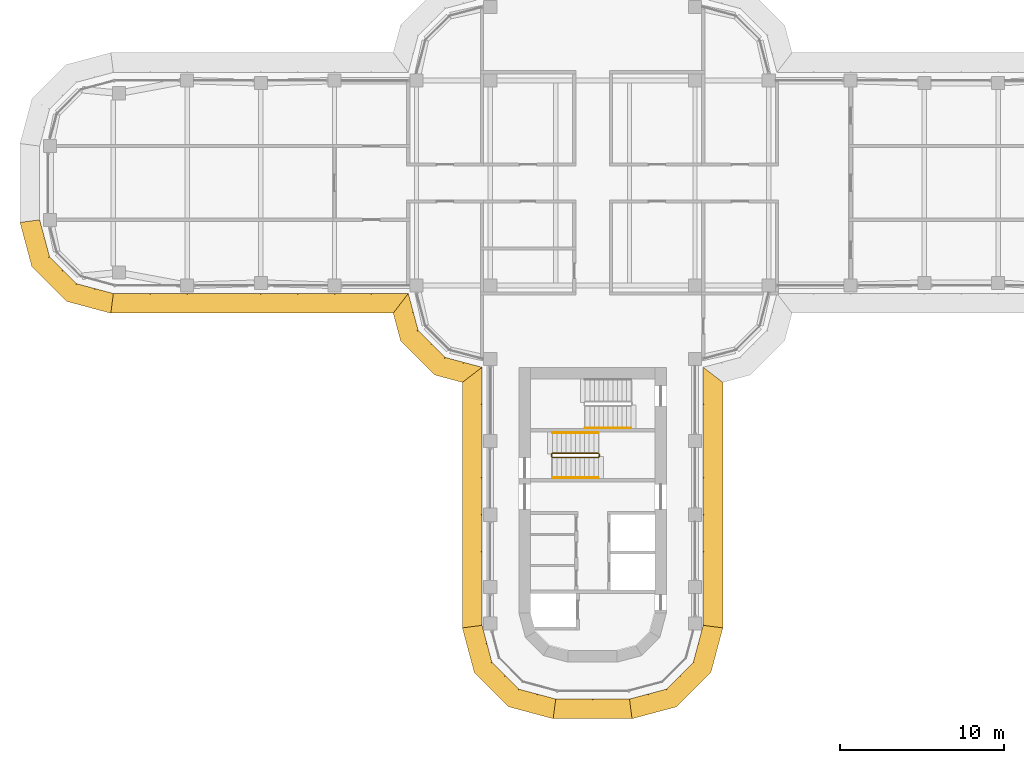
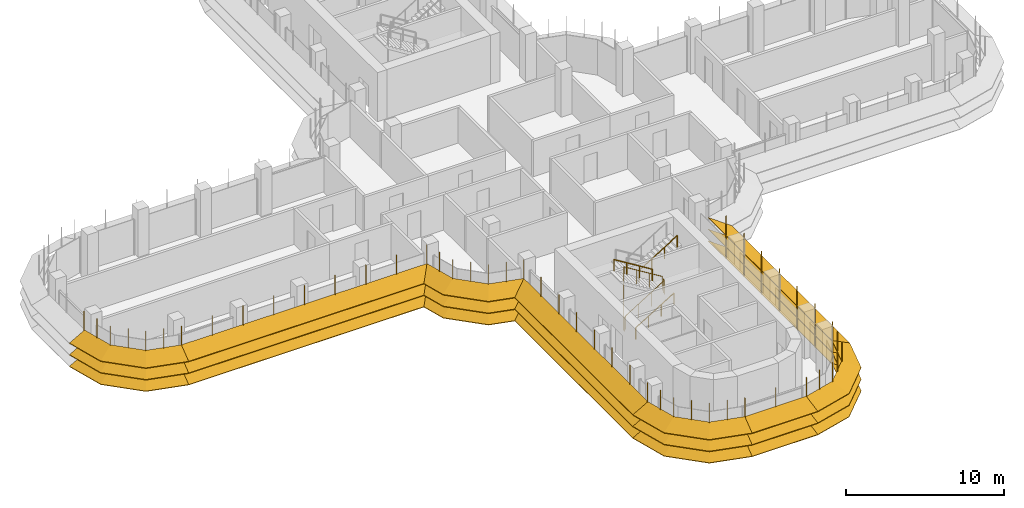
# One storey, part 16 of 19: 8 shading devices, 4 railings.
"""IFC4 building model written with IfcOpenShell, lengths in metres."""

from ifc_helpers import new_model, si_unit, direction, frame, origin, origin_2d, place, context, subcontext, project, spatial, polyline, circle, outline, extrude, faceted_brep, source, transform, mapped, material, type_object, element, save


model = new_model("IFC4")

# Units and contexts
model_context = context("Model", 3, precision=1e-05, world=origin(), true_north=direction((0.0, 1.0)))
body_context = subcontext(model_context, "Body", "Model", "MODEL_VIEW")
ifc_project = project(units=[si_unit("LENGTHUNIT", "METRE"), si_unit("AREAUNIT", "SQUARE_METRE"), si_unit("VOLUMEUNIT", "CUBIC_METRE"), si_unit("PLANEANGLEUNIT", "RADIAN"), si_unit("MASSUNIT", "GRAM", prefix="KILO")], contexts=[model_context])

# Site, building, storey
site_placement = place(None, origin())
site = spatial("IfcSite", under=ifc_project, at=site_placement, CompositionType="ELEMENT")
building_placement = place(site_placement, origin())
building = spatial("IfcBuilding", under=site, at=building_placement, Name="Zarbagh Exchange Tower", CompositionType="ELEMENT")
storey_placement = place(building_placement, frame((0.0, 0.0, 175.199951171875)))
storey = spatial("IfcBuildingStorey", under=building, at=storey_placement, Name="L42", CompositionType="ELEMENT", Elevation=175.199951171875)

# Railings
ifc_material_1 = material(Name="Stainless steel", Category="steel")
railing_type_1 = type_object("IfcRailingType", Name="Stair guard 1100 mm", PredefinedType="GUARDRAIL", material=ifc_material_1)
railing_1_placement = place(storey_placement, frame((0.35009765625, -16.5, 2.07275390625)))
element("IfcRailing", 1, at=railing_1_placement, inside=storey, type_object=railing_type_1, Name="ST3 stair guard 1", PredefinedType="GUARDRAIL", context=body_context, shape_type="SweptSolid", body=[
    extrude(circle(Radius=0.02392578125, at=origin_2d()), frame((0.0, 0.0, 1.076171875), z_axis=(-0.851089632645, 0.0, 0.525020415988), x_axis=(0.0, -1.0, 0.0)), (0.0, 0.0, 1.0), 3.2900390625),
    extrude(circle(Radius=0.02392578125, at=origin_2d()), frame((-2.800048828125, 0.0, 2.80322265625), z_axis=(-0.013168290981, -0.013168290981, -0.999826581076), x_axis=(0.707106781187, -0.707106781187, 0.0)), (0.0, 0.0, 1.0), 3.80078125),
    extrude(circle(Radius=0.02392578125, at=origin_2d()), frame((-2.85009765625, -0.050048828125, -0.99658203125), z_axis=(0.0, -1.0, 0.0), x_axis=(1.0, 0.0, 0.0)), (0.0, 0.0, 1.0), 0.14990234375),
    extrude(circle(Radius=0.02392578125, at=origin_2d()), frame((-2.85009765625, -0.199951171875, -0.99658203125), z_axis=(0.267953482034, -0.267953482034, 0.925419830635), x_axis=(0.707106781187, 0.707106781187, 0.0)), (0.0, 0.0, 1.0), 0.186767578125),
    extrude(circle(Radius=0.02392578125, at=origin_2d()), frame((-2.800048828125, -0.25, -0.82373046875), z_axis=(0.851089632645, 0.0, 0.525020415988), x_axis=(0.0, 1.0, 0.0)), (0.0, 0.0, 1.0), 3.2900390625),
    extrude(circle(Radius=0.02392578125, at=origin_2d()), frame((0.0, -0.25, 0.9033203125), z_axis=(0.705375805398, 0.708833529934, 0.0), x_axis=(-0.708833529934, 0.705375805398, 0.0)), (0.0, 0.0, 1.0), 0.070556640625),
    extrude(circle(Radius=0.02392578125, at=origin_2d()), frame((0.0498046875, -0.199951171875, 0.9033203125), z_axis=(0.0, 1.0, 0.0), x_axis=(-1.0, 0.0, 0.0)), (0.0, 0.0, 1.0), 0.14990234375),
    extrude(circle(Radius=0.02099609375, at=origin_2d()), origin(), (0.0, 0.0, 1.0), 1.052001953125),
    extrude(circle(Radius=0.02099609375, at=origin_2d()), frame((-0.933349609375, 0.0, 0.57568359375)), (0.0, 0.0, 1.0), 1.052001953125),
    extrude(circle(Radius=0.02099609375, at=origin_2d()), frame((-1.86669921875, 0.0, 1.151611328125)), (0.0, 0.0, 1.0), 1.052001953125),
    extrude(circle(Radius=0.02099609375, at=origin_2d()), frame((-2.800048828125, 0.0, 1.727294921875)), (0.0, 0.0, 1.0), 1.052001953125),
    extrude(circle(Radius=0.02099609375, at=origin_2d()), frame((-2.8125, -0.012451171875, 0.77734375)), (0.0, 0.0, 1.0), 1.052001953125),
    extrude(circle(Radius=0.02099609375, at=origin_2d()), frame((-2.8251953125, -0.02490234375, -0.1728515625)), (0.0, 0.0, 1.0), 1.052001953125),
    extrude(circle(Radius=0.02099609375, at=origin_2d()), frame((-2.837646484375, -0.03759765625, -1.122802734375)), (0.0, 0.0, 1.0), 1.052001953125),
    extrude(circle(Radius=0.02099609375, at=origin_2d()), frame((-2.85009765625, -0.050048828125, -2.07275390625)), (0.0, 0.0, 1.0), 1.052001953125),
    extrude(circle(Radius=0.02099609375, at=origin_2d()), frame((-2.85009765625, -0.199951171875, -2.07275390625)), (0.0, 0.0, 1.0), 1.052001953125),
    extrude(circle(Radius=0.02099609375, at=origin_2d()), frame((-2.800048828125, -0.25, -1.89990234375)), (0.0, 0.0, 1.0), 1.052001953125),
    extrude(circle(Radius=0.02099609375, at=origin_2d()), frame((-1.86669921875, -0.25, -1.32421875)), (0.0, 0.0, 1.0), 1.052001953125),
    extrude(circle(Radius=0.02099609375, at=origin_2d()), frame((-0.933349609375, -0.25, -0.748291015625)), (0.0, 0.0, 1.0), 1.052001953125),
    extrude(circle(Radius=0.02099609375, at=origin_2d()), frame((0.0, -0.25, -0.172607421875)), (0.0, 0.0, 1.0), 1.052001953125),
    extrude(circle(Radius=0.02099609375, at=origin_2d()), frame((0.0498046875, -0.199951171875, -0.172607421875)), (0.0, 0.0, 1.0), 1.052001953125),
    extrude(circle(Radius=0.02099609375, at=origin_2d()), frame((0.0498046875, -0.050048828125, -0.172607421875)), (0.0, 0.0, 1.0), 1.052001953125),
])
railing_type_2 = type_object("IfcRailingType", Name="Stair handrail 900 mm", PredefinedType="HANDRAIL", material=ifc_material_1)
railing_2_placement = place(storey_placement, frame((-2.449951171875, -18.0, 0.1728515625)))
element("IfcRailing", 2, at=railing_2_placement, inside=storey, type_object=railing_type_2, Name="ST3 stair handrail 1", PredefinedType="HANDRAIL", context=body_context, shape_type="SweptSolid", body=[
    extrude(circle(Radius=0.02392578125, at=origin_2d()), frame((0.0, 0.0, 0.8759765625), z_axis=(0.851089632645, 0.0, 0.525020415988), x_axis=(0.0, 1.0, 0.0)), (0.0, 0.0, 1.0), 3.2900390625),
    extrude(circle(Radius=0.02099609375, at=origin_2d()), origin(), (0.0, 0.0, 1.0), 0.851806640625),
    extrude(circle(Radius=0.02099609375, at=origin_2d()), frame((0.933349609375, 0.0, 0.57568359375)), (0.0, 0.0, 1.0), 0.851806640625),
    extrude(circle(Radius=0.02099609375, at=origin_2d()), frame((1.86669921875, 0.0, 1.151611328125)), (0.0, 0.0, 1.0), 0.851806640625),
    extrude(circle(Radius=0.02099609375, at=origin_2d()), frame((2.800048828125, 0.0, 1.727294921875)), (0.0, 0.0, 1.0), 0.851806640625),
])
railing_3_placement = place(storey_placement, frame((0.35009765625, -15.25, 2.07275390625)))
element("IfcRailing", 3, at=railing_3_placement, inside=storey, type_object=railing_type_2, Name="ST3 stair handrail 2", PredefinedType="HANDRAIL", context=body_context, shape_type="SweptSolid", body=[
    extrude(circle(Radius=0.02392578125, at=origin_2d()), frame((0.0, 0.0, 0.8759765625), z_axis=(-0.851089632645, 0.0, 0.525020415988), x_axis=(0.0, -1.0, 0.0)), (0.0, 0.0, 1.0), 3.2900390625),
    extrude(circle(Radius=0.02099609375, at=origin_2d()), origin(), (0.0, 0.0, 1.0), 0.851806640625),
    extrude(circle(Radius=0.02099609375, at=origin_2d()), frame((-0.933349609375, 0.0, 0.57568359375)), (0.0, 0.0, 1.0), 0.851806640625),
    extrude(circle(Radius=0.02099609375, at=origin_2d()), frame((-1.86669921875, 0.0, 1.151611328125)), (0.0, 0.0, 1.0), 0.851806640625),
    extrude(circle(Radius=0.02099609375, at=origin_2d()), frame((-2.800048828125, 0.0, 1.727294921875)), (0.0, 0.0, 1.0), 0.851806640625),
])
railing_4_placement = place(storey_placement, frame((-0.449951171875, -14.949951171875, 2.07275390625)))
element("IfcRailing", 4, at=railing_4_placement, inside=storey, type_object=railing_type_2, Name="ST4 stair handrail 2", PredefinedType="HANDRAIL", context=body_context, shape_type="SweptSolid", body=[
    extrude(circle(Radius=0.02392578125, at=origin_2d()), frame((0.0, 0.0, 0.8759765625), z_axis=(0.851089632645, 0.0, 0.525020415988), x_axis=(0.0, 1.0, 0.0)), (0.0, 0.0, 1.0), 3.2900390625),
    extrude(circle(Radius=0.02099609375, at=origin_2d()), origin(), (0.0, 0.0, 1.0), 0.851806640625),
    extrude(circle(Radius=0.02099609375, at=origin_2d()), frame((0.933349609375, 0.0, 0.57568359375)), (0.0, 0.0, 1.0), 0.851806640625),
    extrude(circle(Radius=0.02099609375, at=origin_2d()), frame((1.86669921875, 0.0, 1.151611328125)), (0.0, 0.0, 1.0), 0.851806640625),
    extrude(circle(Radius=0.02099609375, at=origin_2d()), frame((2.800048828125, 0.0, 1.727294921875)), (0.0, 0.0, 1.0), 0.851806640625),
])

# Shading devices
ifc_material_2 = material(Name="Anodised aluminium blades and brackets", Category="aluminium")
shading_device_type = type_object("IfcShadingDeviceType", Name="SUNSHADE louvre band, 22.5 degree blades", PredefinedType="JALOUSIE", material=ifc_material_2)
shared_shape_1 = source(origin(), body_context, "Body", "Brep", [
    faceted_brep([(0.0, 0.0, 0.0), (0.0, 0.0, -0.043212890625), (-0.157958984375, -1.199951171875, -0.540283203125), (-0.157958984375, -1.199951171875, -0.4970703125), (2.65087890625, -1.199951171875, -0.4970703125), (2.65087890625, -1.199951171875, -0.540283203125), (2.329345703125, 0.0, -0.043212890625), (2.329345703125, 0.0, 0.0)], [[[0, 1, 2, 3]], [[4, 5, 6, 7]], [[0, 7, 6, 1]], [[1, 6, 5, 2]], [[2, 5, 4, 3]], [[3, 4, 7, 0]]]),
])
shared_shape_2 = source(origin(), body_context, "Body", "Brep", [
    faceted_brep([(0.0, 0.0, 0.0), (0.0, 0.0, -0.043212890625), (-0.321533203125, -1.199951171875, -0.540283203125), (-0.321533203125, -1.199951171875, -0.4970703125), (2.65087890625, -1.199951171875, -0.4970703125), (2.65087890625, -1.199951171875, -0.540283203125), (2.329345703125, 0.0, -0.043212890625), (2.329345703125, 0.0, 0.0)], [[[0, 1, 2, 3]], [[4, 5, 6, 7]], [[0, 7, 6, 1]], [[1, 6, 5, 2]], [[2, 5, 4, 3]], [[3, 4, 7, 0]]]),
])
shared_shape_3 = source(origin(), body_context, "Body", "Brep", [
    faceted_brep([(0.0, 0.0, 0.0), (0.0, 0.0, -0.043212890625), (-0.321533203125, -1.199951171875, -0.540283203125), (-0.321533203125, -1.199951171875, -0.4970703125), (2.4873046875, -1.199951171875, -0.4970703125), (2.4873046875, -1.199951171875, -0.540283203125), (2.329345703125, 0.0, -0.043212890625), (2.329345703125, 0.0, 0.0)], [[[0, 1, 2, 3]], [[4, 5, 6, 7]], [[0, 7, 6, 1]], [[1, 6, 5, 2]], [[2, 5, 4, 3]], [[3, 4, 7, 0]]]),
])
shared_shape_4 = source(origin(), body_context, "Body", "SweptSolid", [
    extrude(outline(polyline([(0.0, -0.012451171875), (0.06005859375, -0.012451171875), (0.06005859375, 0.012451171875), (0.0, 0.012451171875), (0.0, -0.012451171875)])), origin(), (0.0, 0.0, 1.0), 3.353271484375),
])
placement = place(storey_placement, origin())
element("IfcShadingDevice", 5, at=placement, inside=storey, type_object=shading_device_type, Name="SS35 sunshade band", PredefinedType="JALOUSIE", context=body_context, shape_type="MappedRepresentation", body=[
    mapped(shared_shape_1, transform((2.25, -31.5, 2.300048828125), x_axis=(0.965924289636, 0.258824779902, 0.0), y_axis=(-0.258824779902, 0.965924289636, 0.0), z_axis=(0.0, 0.0, 1.0))),
    mapped(shared_shape_1, transform((2.25, -31.5, 1.400146484375), x_axis=(0.965924289636, 0.258824779902, 0.0), y_axis=(-0.258824779902, 0.965924289636, 0.0), z_axis=(0.0, 0.0, 1.0))),
    mapped(shared_shape_1, transform((2.25, -31.5, 0.5), x_axis=(0.965924289636, 0.258824779902, 0.0), y_axis=(-0.258824779902, 0.965924289636, 0.0), z_axis=(0.0, 0.0, 1.0))),
    mapped(shared_shape_2, transform((4.5, -30.897216796875, 2.300048828125), x_axis=(0.707106781187, 0.707106781187, 0.0), y_axis=(-0.707106781187, 0.707106781187, 0.0), z_axis=(0.0, 0.0, 1.0))),
    mapped(shared_shape_2, transform((4.5, -30.897216796875, 1.400146484375), x_axis=(0.707106781187, 0.707106781187, 0.0), y_axis=(-0.707106781187, 0.707106781187, 0.0), z_axis=(0.0, 0.0, 1.0))),
    mapped(shared_shape_2, transform((4.5, -30.897216796875, 0.5), x_axis=(0.707106781187, 0.707106781187, 0.0), y_axis=(-0.707106781187, 0.707106781187, 0.0), z_axis=(0.0, 0.0, 1.0))),
    mapped(shared_shape_3, transform((6.147216796875, -29.25, 2.300048828125), x_axis=(0.258824779902, 0.965924289636, 0.0), y_axis=(-0.965924289636, 0.258824779902, 0.0), z_axis=(0.0, 0.0, 1.0))),
    mapped(shared_shape_3, transform((6.147216796875, -29.25, 1.400146484375), x_axis=(0.258824779902, 0.965924289636, 0.0), y_axis=(-0.965924289636, 0.258824779902, 0.0), z_axis=(0.0, 0.0, 1.0))),
    mapped(shared_shape_3, transform((6.147216796875, -29.25, 0.5), x_axis=(0.258824779902, 0.965924289636, 0.0), y_axis=(-0.965924289636, 0.258824779902, 0.0), z_axis=(0.0, 0.0, 1.0))),
    mapped(shared_shape_4, transform((2.25, -31.5, 0.4267578125), x_axis=(0.130529263012, -0.991444457092, 0.0), y_axis=(0.991444457092, 0.130529263012, 0.0), z_axis=(0.0, 0.0, 1.0))),
    mapped(shared_shape_4, transform((3.375, -31.198486328125, 0.4267578125), x_axis=(0.258825058029, -0.96592421511, 0.0), y_axis=(0.96592421511, 0.258825058029, 0.0), z_axis=(0.0, 0.0, 1.0))),
    mapped(shared_shape_4, transform((4.5, -30.897216796875, 0.4267578125), x_axis=(0.50000275701, -0.866023812018, 0.0), y_axis=(0.866023812018, 0.50000275701, 0.0), z_axis=(0.0, 0.0, 1.0))),
    mapped(shared_shape_4, transform((5.323486328125, -30.073486328125, 0.4267578125), x_axis=(0.707106781187, -0.707106781187, 0.0), y_axis=(0.707106781187, 0.707106781187, 0.0), z_axis=(0.0, 0.0, 1.0))),
    mapped(shared_shape_4, transform((6.147216796875, -29.25, 0.4267578125), x_axis=(0.866023812018, -0.50000275701, 0.0), y_axis=(0.50000275701, 0.866023812018, 0.0), z_axis=(0.0, 0.0, 1.0))),
    mapped(shared_shape_4, transform((6.448486328125, -28.125, 0.4267578125), x_axis=(0.96592421511, -0.258825058029, 0.0), y_axis=(0.258825058029, 0.96592421511, 0.0), z_axis=(0.0, 0.0, 1.0))),
])
element("IfcShadingDevice", 6, at=placement, inside=storey, type_object=shading_device_type, Name="SS19 sunshade band", PredefinedType="JALOUSIE", context=body_context, shape_type="MappedRepresentation", body=[
    mapped(shared_shape_1, transform((-33.75, -2.25, 2.300048828125), x_axis=(0.258824779902, -0.965924289636, 0.0), y_axis=(0.965924289636, 0.258824779902, 0.0), z_axis=(0.0, 0.0, 1.0))),
    mapped(shared_shape_1, transform((-33.75, -2.25, 1.400146484375), x_axis=(0.258824779902, -0.965924289636, 0.0), y_axis=(0.965924289636, 0.258824779902, 0.0), z_axis=(0.0, 0.0, 1.0))),
    mapped(shared_shape_1, transform((-33.75, -2.25, 0.5), x_axis=(0.258824779902, -0.965924289636, 0.0), y_axis=(0.965924289636, 0.258824779902, 0.0), z_axis=(0.0, 0.0, 1.0))),
    mapped(shared_shape_2, transform((-33.147216796875, -4.5, 2.300048828125), x_axis=(0.707106781187, -0.707106781187, 0.0), y_axis=(0.707106781187, 0.707106781187, 0.0), z_axis=(0.0, 0.0, 1.0))),
    mapped(shared_shape_2, transform((-33.147216796875, -4.5, 1.400146484375), x_axis=(0.707106781187, -0.707106781187, 0.0), y_axis=(0.707106781187, 0.707106781187, 0.0), z_axis=(0.0, 0.0, 1.0))),
    mapped(shared_shape_2, transform((-33.147216796875, -4.5, 0.5), x_axis=(0.707106781187, -0.707106781187, 0.0), y_axis=(0.707106781187, 0.707106781187, 0.0), z_axis=(0.0, 0.0, 1.0))),
    mapped(shared_shape_3, transform((-31.5, -6.147216796875, 2.300048828125), x_axis=(0.965924289636, -0.258824779902, 0.0), y_axis=(0.258824779902, 0.965924289636, 0.0), z_axis=(0.0, 0.0, 1.0))),
    mapped(shared_shape_3, transform((-31.5, -6.147216796875, 1.400146484375), x_axis=(0.965924289636, -0.258824779902, 0.0), y_axis=(0.258824779902, 0.965924289636, 0.0), z_axis=(0.0, 0.0, 1.0))),
    mapped(shared_shape_3, transform((-31.5, -6.147216796875, 0.5), x_axis=(0.965924289636, -0.258824779902, 0.0), y_axis=(0.258824779902, 0.965924289636, 0.0), z_axis=(0.0, 0.0, 1.0))),
    mapped(shared_shape_4, transform((-33.75, -2.25, 0.4267578125), x_axis=(-0.991444457092, -0.130529263012, 0.0), y_axis=(0.130529263012, -0.991444457092, 0.0), z_axis=(0.0, 0.0, 1.0))),
    mapped(shared_shape_4, transform((-33.448486328125, -3.375, 0.4267578125), x_axis=(-0.96592421511, -0.258825058029, 0.0), y_axis=(0.258825058029, -0.96592421511, 0.0), z_axis=(0.0, 0.0, 1.0))),
    mapped(shared_shape_4, transform((-33.147216796875, -4.5, 0.4267578125), x_axis=(-0.866023812018, -0.50000275701, 0.0), y_axis=(0.50000275701, -0.866023812018, 0.0), z_axis=(0.0, 0.0, 1.0))),
    mapped(shared_shape_4, transform((-32.323486328125, -5.323486328125, 0.4267578125), x_axis=(-0.707106781187, -0.707106781187, 0.0), y_axis=(0.707106781187, -0.707106781187, 0.0), z_axis=(0.0, 0.0, 1.0))),
    mapped(shared_shape_4, transform((-31.5, -6.147216796875, 0.4267578125), x_axis=(-0.50000275701, -0.866023812018, 0.0), y_axis=(0.866023812018, -0.50000275701, 0.0), z_axis=(0.0, 0.0, 1.0))),
    mapped(shared_shape_4, transform((-30.375, -6.448486328125, 0.4267578125), x_axis=(-0.258825058029, -0.96592421511, 0.0), y_axis=(0.96592421511, -0.258825058029, 0.0), z_axis=(0.0, 0.0, 1.0))),
])
element("IfcShadingDevice", 7, at=placement, inside=storey, type_object=shading_device_type, Name="SS38 sunshade band", PredefinedType="JALOUSIE", context=body_context, shape_type="MappedRepresentation", body=[
    mapped(shared_shape_1, transform((-6.75, -27.0, 2.300048828125), x_axis=(0.258824779902, -0.965924289636, 0.0), y_axis=(0.965924289636, 0.258824779902, 0.0), z_axis=(0.0, 0.0, 1.0))),
    mapped(shared_shape_1, transform((-6.75, -27.0, 1.400146484375), x_axis=(0.258824779902, -0.965924289636, 0.0), y_axis=(0.965924289636, 0.258824779902, 0.0), z_axis=(0.0, 0.0, 1.0))),
    mapped(shared_shape_1, transform((-6.75, -27.0, 0.5), x_axis=(0.258824779902, -0.965924289636, 0.0), y_axis=(0.965924289636, 0.258824779902, 0.0), z_axis=(0.0, 0.0, 1.0))),
    mapped(shared_shape_2, transform((-6.147216796875, -29.25, 2.300048828125), x_axis=(0.707106781187, -0.707106781187, 0.0), y_axis=(0.707106781187, 0.707106781187, 0.0), z_axis=(0.0, 0.0, 1.0))),
    mapped(shared_shape_2, transform((-6.147216796875, -29.25, 1.400146484375), x_axis=(0.707106781187, -0.707106781187, 0.0), y_axis=(0.707106781187, 0.707106781187, 0.0), z_axis=(0.0, 0.0, 1.0))),
    mapped(shared_shape_2, transform((-6.147216796875, -29.25, 0.5), x_axis=(0.707106781187, -0.707106781187, 0.0), y_axis=(0.707106781187, 0.707106781187, 0.0), z_axis=(0.0, 0.0, 1.0))),
    mapped(shared_shape_3, transform((-4.5, -30.897216796875, 2.300048828125), x_axis=(0.965924289636, -0.258824779902, 0.0), y_axis=(0.258824779902, 0.965924289636, 0.0), z_axis=(0.0, 0.0, 1.0))),
    mapped(shared_shape_3, transform((-4.5, -30.897216796875, 1.400146484375), x_axis=(0.965924289636, -0.258824779902, 0.0), y_axis=(0.258824779902, 0.965924289636, 0.0), z_axis=(0.0, 0.0, 1.0))),
    mapped(shared_shape_3, transform((-4.5, -30.897216796875, 0.5), x_axis=(0.965924289636, -0.258824779902, 0.0), y_axis=(0.258824779902, 0.965924289636, 0.0), z_axis=(0.0, 0.0, 1.0))),
    mapped(shared_shape_4, transform((-6.75, -27.0, 0.4267578125), x_axis=(-0.991444457092, -0.130529263012, 0.0), y_axis=(0.130529263012, -0.991444457092, 0.0), z_axis=(0.0, 0.0, 1.0))),
    mapped(shared_shape_4, transform((-6.448486328125, -28.125, 0.4267578125), x_axis=(-0.96592421511, -0.258825058029, 0.0), y_axis=(0.258825058029, -0.96592421511, 0.0), z_axis=(0.0, 0.0, 1.0))),
    mapped(shared_shape_4, transform((-6.147216796875, -29.25, 0.4267578125), x_axis=(-0.866023812018, -0.50000275701, 0.0), y_axis=(0.50000275701, -0.866023812018, 0.0), z_axis=(0.0, 0.0, 1.0))),
    mapped(shared_shape_4, transform((-5.323486328125, -30.073486328125, 0.4267578125), x_axis=(-0.707106781187, -0.707106781187, 0.0), y_axis=(0.707106781187, -0.707106781187, 0.0), z_axis=(0.0, 0.0, 1.0))),
    mapped(shared_shape_4, transform((-4.5, -30.897216796875, 0.4267578125), x_axis=(-0.50000275701, -0.866023812018, 0.0), y_axis=(0.866023812018, -0.50000275701, 0.0), z_axis=(0.0, 0.0, 1.0))),
    mapped(shared_shape_4, transform((-3.375, -31.198486328125, 0.4267578125), x_axis=(-0.258825058029, -0.96592421511, 0.0), y_axis=(0.96592421511, -0.258825058029, 0.0), z_axis=(0.0, 0.0, 1.0))),
])
shared_shape_5 = source(origin(), body_context, "Body", "Brep", [
    faceted_brep([(0.0, 0.0, 0.0), (0.0, 0.0, -0.043212890625), (0.9208984375, -1.199951171875, -0.540283203125), (0.9208984375, -1.199951171875, -0.4970703125), (2.65087890625, -1.199951171875, -0.4970703125), (2.65087890625, -1.199951171875, -0.540283203125), (2.329345703125, 0.0, -0.043212890625), (2.329345703125, 0.0, 0.0)], [[[0, 1, 2, 3]], [[4, 5, 6, 7]], [[0, 7, 6, 1]], [[1, 6, 5, 2]], [[2, 5, 4, 3]], [[3, 4, 7, 0]]]),
])
shared_shape_6 = source(origin(), body_context, "Body", "Brep", [
    faceted_brep([(0.0, 0.0, 0.0), (0.0, 0.0, -0.043212890625), (-0.321533203125, -1.199951171875, -0.540283203125), (-0.321533203125, -1.199951171875, -0.4970703125), (1.40869140625, -1.199951171875, -0.4970703125), (1.40869140625, -1.199951171875, -0.540283203125), (2.329345703125, 0.0, -0.043212890625), (2.329345703125, 0.0, 0.0)], [[[0, 1, 2, 3]], [[4, 5, 6, 7]], [[0, 7, 6, 1]], [[1, 6, 5, 2]], [[2, 5, 4, 3]], [[3, 4, 7, 0]]]),
])
element("IfcShadingDevice", 8, at=placement, inside=storey, type_object=shading_device_type, Name="SS21 sunshade band", PredefinedType="JALOUSIE", context=body_context, shape_type="MappedRepresentation", body=[
    mapped(shared_shape_5, transform((-11.25, -6.75, 2.300048828125), x_axis=(0.258824779902, -0.965924289636, 0.0), y_axis=(0.965924289636, 0.258824779902, 0.0), z_axis=(0.0, 0.0, 1.0))),
    mapped(shared_shape_5, transform((-11.25, -6.75, 1.400146484375), x_axis=(0.258824779902, -0.965924289636, 0.0), y_axis=(0.965924289636, 0.258824779902, 0.0), z_axis=(0.0, 0.0, 1.0))),
    mapped(shared_shape_5, transform((-11.25, -6.75, 0.5), x_axis=(0.258824779902, -0.965924289636, 0.0), y_axis=(0.965924289636, 0.258824779902, 0.0), z_axis=(0.0, 0.0, 1.0))),
    mapped(shared_shape_2, transform((-10.647216796875, -9.0, 2.300048828125), x_axis=(0.707106781187, -0.707106781187, 0.0), y_axis=(0.707106781187, 0.707106781187, 0.0), z_axis=(0.0, 0.0, 1.0))),
    mapped(shared_shape_2, transform((-10.647216796875, -9.0, 1.400146484375), x_axis=(0.707106781187, -0.707106781187, 0.0), y_axis=(0.707106781187, 0.707106781187, 0.0), z_axis=(0.0, 0.0, 1.0))),
    mapped(shared_shape_2, transform((-10.647216796875, -9.0, 0.5), x_axis=(0.707106781187, -0.707106781187, 0.0), y_axis=(0.707106781187, 0.707106781187, 0.0), z_axis=(0.0, 0.0, 1.0))),
    mapped(shared_shape_6, transform((-9.0, -10.647216796875, 2.300048828125), x_axis=(0.965924289636, -0.258824779902, 0.0), y_axis=(0.258824779902, 0.965924289636, 0.0), z_axis=(0.0, 0.0, 1.0))),
    mapped(shared_shape_6, transform((-9.0, -10.647216796875, 1.400146484375), x_axis=(0.965924289636, -0.258824779902, 0.0), y_axis=(0.258824779902, 0.965924289636, 0.0), z_axis=(0.0, 0.0, 1.0))),
    mapped(shared_shape_6, transform((-9.0, -10.647216796875, 0.5), x_axis=(0.965924289636, -0.258824779902, 0.0), y_axis=(0.258824779902, 0.965924289636, 0.0), z_axis=(0.0, 0.0, 1.0))),
    mapped(shared_shape_4, transform((-11.25, -6.75, 0.4267578125), x_axis=(-0.608758892, -0.793355287, 0.0), y_axis=(0.793355287, -0.608758892, 0.0), z_axis=(0.0, 0.0, 1.0))),
    mapped(shared_shape_4, transform((-10.948486328125, -7.875, 0.4267578125), x_axis=(-0.96592421511, -0.258825058029, 0.0), y_axis=(0.258825058029, -0.96592421511, 0.0), z_axis=(0.0, 0.0, 1.0))),
    mapped(shared_shape_4, transform((-10.647216796875, -9.0, 0.4267578125), x_axis=(-0.866023812018, -0.50000275701, 0.0), y_axis=(0.50000275701, -0.866023812018, 0.0), z_axis=(0.0, 0.0, 1.0))),
    mapped(shared_shape_4, transform((-9.823486328125, -9.823486328125, 0.4267578125), x_axis=(-0.707106781187, -0.707106781187, 0.0), y_axis=(0.707106781187, -0.707106781187, 0.0), z_axis=(0.0, 0.0, 1.0))),
    mapped(shared_shape_4, transform((-9.0, -10.647216796875, 0.4267578125), x_axis=(-0.50000275701, -0.866023812018, 0.0), y_axis=(0.866023812018, -0.50000275701, 0.0), z_axis=(0.0, 0.0, 1.0))),
    mapped(shared_shape_4, transform((-7.875, -10.948486328125, 0.4267578125), x_axis=(-0.258825058029, -0.96592421511, 0.0), y_axis=(0.96592421511, -0.258825058029, 0.0), z_axis=(0.0, 0.0, 1.0))),
])
shared_shape_7 = source(origin(), body_context, "Body", "Brep", [
    faceted_brep([(0.0, 0.0, 0.0), (0.0, 0.0, -0.043212890625), (-0.157958984375, -1.199951171875, -0.540283203125), (-0.157958984375, -1.199951171875, -0.4970703125), (14.8291015625, -1.199951171875, -0.4970703125), (14.8291015625, -1.199951171875, -0.540283203125), (15.75, 0.0, -0.043212890625), (15.75, 0.0, 0.0)], [[[0, 1, 2, 3]], [[4, 5, 6, 7]], [[0, 7, 6, 1]], [[1, 6, 5, 2]], [[2, 5, 4, 3]], [[3, 4, 7, 0]]]),
])
element("IfcShadingDevice", 9, at=placement, inside=storey, type_object=shading_device_type, Name="SS36 sunshade band", PredefinedType="JALOUSIE", context=body_context, shape_type="MappedRepresentation", body=[
    mapped(shared_shape_7, transform((6.75, -27.0, 2.300048828125), x_axis=(0.0, 1.0, 0.0), y_axis=(-1.0, 0.0, 0.0), z_axis=(0.0, 0.0, 1.0))),
    mapped(shared_shape_7, transform((6.75, -27.0, 1.400146484375), x_axis=(0.0, 1.0, 0.0), y_axis=(-1.0, 0.0, 0.0), z_axis=(0.0, 0.0, 1.0))),
    mapped(shared_shape_7, transform((6.75, -27.0, 0.5), x_axis=(0.0, 1.0, 0.0), y_axis=(-1.0, 0.0, 0.0), z_axis=(0.0, 0.0, 1.0))),
    mapped(shared_shape_4, transform((6.75, -27.0, 0.4267578125), x_axis=(0.991444457092, -0.130529263012, 0.0), y_axis=(0.130529263012, 0.991444457092, 0.0), z_axis=(0.0, 0.0, 1.0))),
    mapped(shared_shape_4, transform((6.75, -24.75, 0.4267578125), x_axis=(1.0, 0.0, 0.0), y_axis=(0.0, 1.0, 0.0), z_axis=(0.0, 0.0, 1.0))),
    mapped(shared_shape_4, transform((6.75, -22.5, 0.4267578125), x_axis=(1.0, 0.0, 0.0), y_axis=(0.0, 1.0, 0.0), z_axis=(0.0, 0.0, 1.0))),
    mapped(shared_shape_4, transform((6.75, -20.25, 0.4267578125), x_axis=(1.0, 0.0, 0.0), y_axis=(0.0, 1.0, 0.0), z_axis=(0.0, 0.0, 1.0))),
    mapped(shared_shape_4, transform((6.75, -18.0, 0.4267578125), x_axis=(1.0, 0.0, 0.0), y_axis=(0.0, 1.0, 0.0), z_axis=(0.0, 0.0, 1.0))),
    mapped(shared_shape_4, transform((6.75, -15.75, 0.4267578125), x_axis=(1.0, 0.0, 0.0), y_axis=(0.0, 1.0, 0.0), z_axis=(0.0, 0.0, 1.0))),
    mapped(shared_shape_4, transform((6.75, -13.5, 0.4267578125), x_axis=(1.0, 0.0, 0.0), y_axis=(0.0, 1.0, 0.0), z_axis=(0.0, 0.0, 1.0))),
])
shared_shape_8 = source(origin(), body_context, "Body", "Brep", [
    faceted_brep([(0.0, 0.0, 0.0), (0.0, 0.0, -0.043212890625), (-0.157958984375, -1.199951171875, -0.540283203125), (-0.157958984375, -1.199951171875, -0.4970703125), (17.0791015625, -1.199951171875, -0.4970703125), (17.0791015625, -1.199951171875, -0.540283203125), (18.0, 0.0, -0.043212890625), (18.0, 0.0, 0.0)], [[[0, 1, 2, 3]], [[4, 5, 6, 7]], [[0, 7, 6, 1]], [[1, 6, 5, 2]], [[2, 5, 4, 3]], [[3, 4, 7, 0]]]),
])
element("IfcShadingDevice", 10, at=placement, inside=storey, type_object=shading_device_type, Name="SS20 sunshade band", PredefinedType="JALOUSIE", context=body_context, shape_type="MappedRepresentation", body=[
    mapped(shared_shape_8, transform((-29.25, -6.75, 2.300048828125), x_axis=(1.0, 0.0, 0.0), y_axis=(0.0, 1.0, 0.0), z_axis=(0.0, 0.0, 1.0))),
    mapped(shared_shape_8, transform((-29.25, -6.75, 1.400146484375), x_axis=(1.0, 0.0, 0.0), y_axis=(0.0, 1.0, 0.0), z_axis=(0.0, 0.0, 1.0))),
    mapped(shared_shape_8, transform((-29.25, -6.75, 0.5), x_axis=(1.0, 0.0, 0.0), y_axis=(0.0, 1.0, 0.0), z_axis=(0.0, 0.0, 1.0))),
    mapped(shared_shape_4, transform((-29.25, -6.75, 0.4267578125), x_axis=(-0.130529263012, -0.991444457092, 0.0), y_axis=(0.991444457092, -0.130529263012, 0.0), z_axis=(0.0, 0.0, 1.0))),
    mapped(shared_shape_4, transform((-27.0, -6.75, 0.4267578125), x_axis=(0.0, -1.0, 0.0), y_axis=(1.0, 0.0, 0.0), z_axis=(0.0, 0.0, 1.0))),
    mapped(shared_shape_4, transform((-24.75, -6.75, 0.4267578125), x_axis=(0.0, -1.0, 0.0), y_axis=(1.0, 0.0, 0.0), z_axis=(0.0, 0.0, 1.0))),
    mapped(shared_shape_4, transform((-22.5, -6.75, 0.4267578125), x_axis=(0.0, -1.0, 0.0), y_axis=(1.0, 0.0, 0.0), z_axis=(0.0, 0.0, 1.0))),
    mapped(shared_shape_4, transform((-20.25, -6.75, 0.4267578125), x_axis=(0.0, -1.0, 0.0), y_axis=(1.0, 0.0, 0.0), z_axis=(0.0, 0.0, 1.0))),
    mapped(shared_shape_4, transform((-18.0, -6.75, 0.4267578125), x_axis=(0.0, -1.0, 0.0), y_axis=(1.0, 0.0, 0.0), z_axis=(0.0, 0.0, 1.0))),
    mapped(shared_shape_4, transform((-15.75, -6.75, 0.4267578125), x_axis=(0.0, -1.0, 0.0), y_axis=(1.0, 0.0, 0.0), z_axis=(0.0, 0.0, 1.0))),
    mapped(shared_shape_4, transform((-13.5, -6.75, 0.4267578125), x_axis=(0.0, -1.0, 0.0), y_axis=(1.0, 0.0, 0.0), z_axis=(0.0, 0.0, 1.0))),
])
shared_shape_9 = source(origin(), body_context, "Body", "Brep", [
    faceted_brep([(0.0, 0.0, 0.0), (0.0, 0.0, -0.043212890625), (0.9208984375, -1.199951171875, -0.540283203125), (0.9208984375, -1.199951171875, -0.4970703125), (15.907958984375, -1.199951171875, -0.4970703125), (15.907958984375, -1.199951171875, -0.540283203125), (15.75, 0.0, -0.043212890625), (15.75, 0.0, 0.0)], [[[0, 1, 2, 3]], [[4, 5, 6, 7]], [[0, 7, 6, 1]], [[1, 6, 5, 2]], [[2, 5, 4, 3]], [[3, 4, 7, 0]]]),
])
element("IfcShadingDevice", 11, at=placement, inside=storey, type_object=shading_device_type, Name="SS37 sunshade band", PredefinedType="JALOUSIE", context=body_context, shape_type="MappedRepresentation", body=[
    mapped(shared_shape_9, transform((-6.75, -11.25, 2.300048828125), x_axis=(0.0, -1.0, 0.0), y_axis=(1.0, 0.0, 0.0), z_axis=(0.0, 0.0, 1.0))),
    mapped(shared_shape_9, transform((-6.75, -11.25, 1.400146484375), x_axis=(0.0, -1.0, 0.0), y_axis=(1.0, 0.0, 0.0), z_axis=(0.0, 0.0, 1.0))),
    mapped(shared_shape_9, transform((-6.75, -11.25, 0.5), x_axis=(0.0, -1.0, 0.0), y_axis=(1.0, 0.0, 0.0), z_axis=(0.0, 0.0, 1.0))),
    mapped(shared_shape_4, transform((-6.75, -11.25, 0.4267578125), x_axis=(-0.793355287, -0.608758892, 0.0), y_axis=(0.608758892, -0.793355287, 0.0), z_axis=(0.0, 0.0, 1.0))),
    mapped(shared_shape_4, transform((-6.75, -13.5, 0.4267578125), x_axis=(-1.0, 0.0, 0.0), y_axis=(0.0, -1.0, 0.0), z_axis=(0.0, 0.0, 1.0))),
    mapped(shared_shape_4, transform((-6.75, -15.75, 0.4267578125), x_axis=(-1.0, 0.0, 0.0), y_axis=(0.0, -1.0, 0.0), z_axis=(0.0, 0.0, 1.0))),
    mapped(shared_shape_4, transform((-6.75, -18.0, 0.4267578125), x_axis=(-1.0, 0.0, 0.0), y_axis=(0.0, -1.0, 0.0), z_axis=(0.0, 0.0, 1.0))),
    mapped(shared_shape_4, transform((-6.75, -20.25, 0.4267578125), x_axis=(-1.0, 0.0, 0.0), y_axis=(0.0, -1.0, 0.0), z_axis=(0.0, 0.0, 1.0))),
    mapped(shared_shape_4, transform((-6.75, -22.5, 0.4267578125), x_axis=(-1.0, 0.0, 0.0), y_axis=(0.0, -1.0, 0.0), z_axis=(0.0, 0.0, 1.0))),
    mapped(shared_shape_4, transform((-6.75, -24.75, 0.4267578125), x_axis=(-1.0, 0.0, 0.0), y_axis=(0.0, -1.0, 0.0), z_axis=(0.0, 0.0, 1.0))),
])
shared_shape_10 = source(origin(), body_context, "Body", "Brep", [
    faceted_brep([(0.0, 0.0, 0.0), (0.0, 0.0, -0.043212890625), (-0.157958984375, -1.199951171875, -0.540283203125), (-0.157958984375, -1.199951171875, -0.4970703125), (4.657958984375, -1.199951171875, -0.4970703125), (4.657958984375, -1.199951171875, -0.540283203125), (4.5, 0.0, -0.043212890625), (4.5, 0.0, 0.0)], [[[0, 1, 2, 3]], [[4, 5, 6, 7]], [[0, 7, 6, 1]], [[1, 6, 5, 2]], [[2, 5, 4, 3]], [[3, 4, 7, 0]]]),
])
element("IfcShadingDevice", 12, at=placement, inside=storey, type_object=shading_device_type, Name="SS39 sunshade band", PredefinedType="JALOUSIE", context=body_context, shape_type="MappedRepresentation", body=[
    mapped(shared_shape_10, transform((-2.25, -31.5, 2.300048828125), x_axis=(1.0, 0.0, 0.0), y_axis=(0.0, 1.0, 0.0), z_axis=(0.0, 0.0, 1.0))),
    mapped(shared_shape_10, transform((-2.25, -31.5, 1.400146484375), x_axis=(1.0, 0.0, 0.0), y_axis=(0.0, 1.0, 0.0), z_axis=(0.0, 0.0, 1.0))),
    mapped(shared_shape_10, transform((-2.25, -31.5, 0.5), x_axis=(1.0, 0.0, 0.0), y_axis=(0.0, 1.0, 0.0), z_axis=(0.0, 0.0, 1.0))),
    mapped(shared_shape_4, transform((-2.25, -31.5, 0.4267578125), x_axis=(-0.130529263012, -0.991444457092, 0.0), y_axis=(0.991444457092, -0.130529263012, 0.0), z_axis=(0.0, 0.0, 1.0))),
    mapped(shared_shape_4, transform((0.0, -31.5, 0.4267578125), x_axis=(0.0, -1.0, 0.0), y_axis=(1.0, 0.0, 0.0), z_axis=(0.0, 0.0, 1.0))),
])

save(model, "model.ifc")
